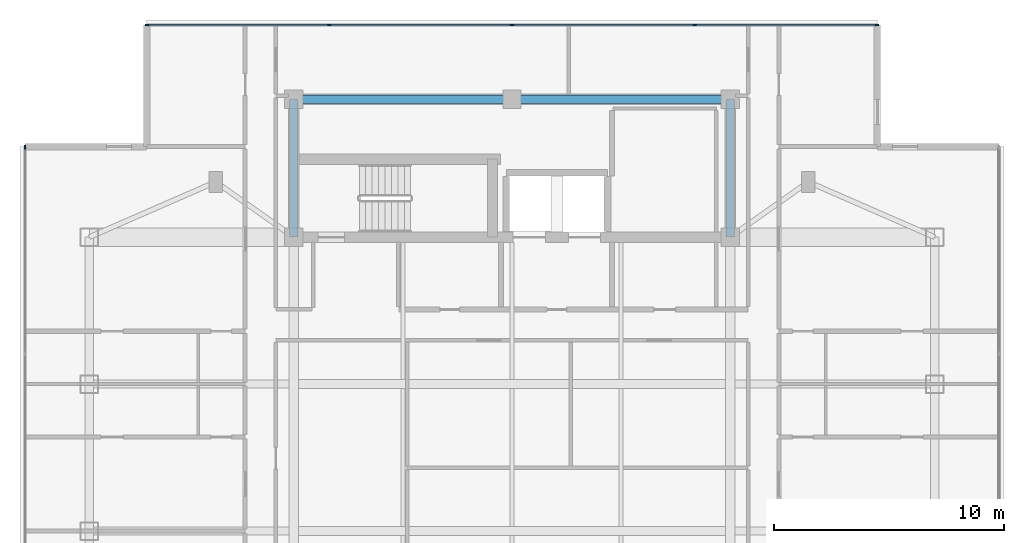
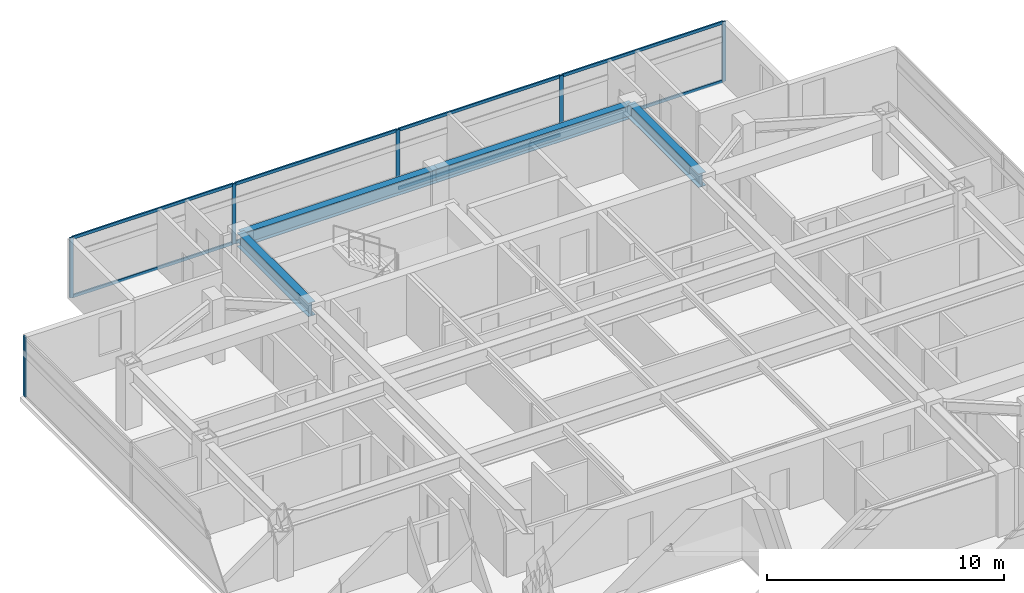
# One storey, part 5 of 14: 14 members, 4 beams, 2 elements without a shape of their own.
"""IFC4 building model written with IfcOpenShell, lengths in metres."""

from ifc_helpers import new_model, si_unit, direction, frame, origin, origin_2d, place, context, subcontext, project, spatial, rectangle, i_section, extrude, material, material_profile, profile_set, type_object, element, aggregate, save


model = new_model("IFC4")

# Units and contexts
model_context = context("Model", 3, precision=1e-05, world=origin(), true_north=direction((0.0, 1.0)))
body_context = subcontext(model_context, "Body", "Model", "MODEL_VIEW")
ifc_project = project(units=[si_unit("LENGTHUNIT", "METRE"), si_unit("AREAUNIT", "SQUARE_METRE"), si_unit("VOLUMEUNIT", "CUBIC_METRE"), si_unit("PLANEANGLEUNIT", "RADIAN"), si_unit("MASSUNIT", "GRAM", prefix="KILO")], contexts=[model_context])

# Site, building, storey
site_placement = place(None, origin())
site = spatial("IfcSite", under=ifc_project, at=site_placement, CompositionType="ELEMENT")
building_placement = place(site_placement, origin())
building = spatial("IfcBuilding", under=site, at=building_placement, Name="Mirazonda Arch Towers", CompositionType="ELEMENT")
storey_placement = place(building_placement, frame((0.0, 0.0, 232.60009765625)))
storey = spatial("IfcBuildingStorey", under=building, at=storey_placement, Name="L66", CompositionType="ELEMENT", Elevation=232.60009765625)

# Beams
ifc_material_1 = material(Name="Steel ASTM A992 Grade 50", Category="steel")
ifc_material_profile_1 = material_profile(ifc_material_1, i_section(OverallWidth=0.35498046875, OverallDepth=0.696044921875, WebThickness=0.015380859375, FlangeThickness=0.02490234375, at=origin_2d()), Name="W27X146")
ifc_profile_set_1 = profile_set([ifc_material_profile_1], Name="Steel ASTM A992 Grade 50")
beam_type = type_object("IfcBeamType", Name="BM-INT-W27X146", PredefinedType="BEAM", material=ifc_profile_set_1)
for number, where, z_axis, x_axis, name in (
    (1, (11.0, 43.60009765625, 2.751953125), (1.0, 0.0, 0.0), (0.0, 1.0, 0.0), "L66 Floor Beam BM-T1-L66-CN1"),
    (2, (20.5, 43.60009765625, 2.751953125), (1.0, 0.0, 0.0), (0.0, 1.0, 0.0), "L66 Floor Beam BM-T1-L66-CN2"),
):
    element("IfcBeam", number, at=place(storey_placement, frame(where, z_axis=z_axis, x_axis=x_axis)), inside=storey, type_object=beam_type, Name=name, PredefinedType="BEAM", context=body_context, shape_type="SweptSolid", body=[
        extrude(i_section(OverallWidth=0.35498046875, OverallDepth=0.696044921875, WebThickness=0.015380859375, FlangeThickness=0.02490234375, at=origin_2d()), origin(), (0.0, 0.0, 1.0), 9.5),
    ])
for number, where, z_axis, x_axis, name in (
    (3, (11.0, 37.60009765625, 2.751953125), (0.0, 1.0, 0.0), (-1.0, 0.0, 0.0), "L66 Floor Beam BM-T1-L66-CNW"),
    (4, (30.0, 37.60009765625, 2.751953125), (0.0, 1.0, 0.0), (-1.0, 0.0, 0.0), "L66 Floor Beam BM-T1-L66-CNE"),
):
    element("IfcBeam", number, at=place(storey_placement, frame(where, z_axis=z_axis, x_axis=x_axis)), inside=storey, type_object=beam_type, Name=name, PredefinedType="BEAM", context=body_context, shape_type="SweptSolid", body=[
        extrude(i_section(OverallWidth=0.35498046875, OverallDepth=0.696044921875, WebThickness=0.015380859375, FlangeThickness=0.02490234375, at=origin_2d()), origin(), (0.0, 0.0, 1.0), 6.0),
    ])

# Curtain wall, members
ifc_material_2 = material(Name="Anodised Aluminium and Low-E Glass", Category="aluminium")
curtain_wall_type = type_object("IfcCurtainWallType", Name="CW-RES-UNIT", PredefinedType="NOTDEFINED", material=ifc_material_2)
curtain_wall_1_placement = place(storey_placement, origin())
curtain_wall_1 = element("IfcCurtainWall", 5, at=curtain_wall_1_placement, inside=storey, type_object=curtain_wall_type, Name="L66 T1 N Facade CW-L66-T1-N", PredefinedType="NOTDEFINED")
ifc_material_3 = material(Name="Anodised Aluminium Alloy", Category="aluminium")
ifc_material_profile_2 = material_profile(ifc_material_3, rectangle(XDim=0.074951171875, YDim=0.175048828125, at=origin_2d()), Name="ALU-MULL-75x175")
ifc_profile_set_2 = profile_set([ifc_material_profile_2], Name="Anodised Aluminium Alloy")
member_type_1 = type_object("IfcMemberType", Name="MULL-CW-RES-UNIT", PredefinedType="MULLION", material=ifc_profile_set_2)
member_1_placement = place(storey_placement, frame((4.62744140625, 46.83203125, 0.0), z_axis=(0.0, 0.0, 1.0), x_axis=(0.0, 1.0, 0.0)))
member_1 = element("IfcMember", 6, at=member_1_placement, type_object=member_type_1, Name="CW-104 mullion 1", PredefinedType="MULLION", context=body_context, shape_type="SweptSolid", body=[
    extrude(rectangle(XDim=0.074951171875, YDim=0.175048828125, at=origin_2d()), origin(), (0.0, 0.0, 1.0), 3.079833984375),
])
member_2_placement = place(storey_placement, frame((12.544921875, 46.83203125, 0.0), z_axis=(0.0, 0.0, 1.0), x_axis=(0.0, 1.0, 0.0)))
member_2 = element("IfcMember", 7, at=member_2_placement, type_object=member_type_1, Name="CW-104 mullion 2", PredefinedType="MULLION", context=body_context, shape_type="SweptSolid", body=[
    extrude(rectangle(XDim=0.074951171875, YDim=0.175048828125, at=origin_2d()), origin(), (0.0, 0.0, 1.0), 3.079833984375),
])
member_3_placement = place(storey_placement, frame((20.5, 46.83203125, 0.0), z_axis=(0.0, 0.0, 1.0), x_axis=(0.0, 1.0, 0.0)))
member_3 = element("IfcMember", 8, at=member_3_placement, type_object=member_type_1, Name="CW-104 mullion 3", PredefinedType="MULLION", context=body_context, shape_type="SweptSolid", body=[
    extrude(rectangle(XDim=0.074951171875, YDim=0.175048828125, at=origin_2d()), origin(), (0.0, 0.0, 1.0), 3.079833984375),
])
member_4_placement = place(storey_placement, frame((28.455078125, 46.83203125, 0.0), z_axis=(0.0, 0.0, 1.0), x_axis=(0.0, 1.0, 0.0)))
member_4 = element("IfcMember", 9, at=member_4_placement, type_object=member_type_1, Name="CW-104 mullion 4", PredefinedType="MULLION", context=body_context, shape_type="SweptSolid", body=[
    extrude(rectangle(XDim=0.074951171875, YDim=0.175048828125, at=origin_2d()), origin(), (0.0, 0.0, 1.0), 3.079833984375),
])
member_5_placement = place(storey_placement, frame((36.37255859375, 46.83203125, 0.0), z_axis=(0.0, 0.0, 1.0), x_axis=(0.0, 1.0, 0.0)))
member_5 = element("IfcMember", 10, at=member_5_placement, type_object=member_type_1, Name="CW-104 mullion 5", PredefinedType="MULLION", context=body_context, shape_type="SweptSolid", body=[
    extrude(rectangle(XDim=0.074951171875, YDim=0.175048828125, at=origin_2d()), origin(), (0.0, 0.0, 1.0), 3.079833984375),
])

# Curtain wall, member
curtain_wall_2_placement = place(storey_placement, origin())
curtain_wall_2 = element("IfcCurtainWall", 11, at=curtain_wall_2_placement, inside=storey, type_object=curtain_wall_type, Name="L66 T1 W Facade CW-L66-T1-W", PredefinedType="NOTDEFINED")
member_6_placement = place(storey_placement, frame((-0.699951171875, 41.50439453125, 0.0), z_axis=(0.0, 0.0, 1.0), x_axis=(1.0, 0.0, 0.0)))
member_6 = element("IfcMember", 12, at=member_6_placement, type_object=member_type_1, Name="CW-104 mullion 1", PredefinedType="MULLION", context=body_context, shape_type="SweptSolid", body=[
    extrude(rectangle(XDim=0.074951171875, YDim=0.175048828125, at=origin_2d()), origin(), (0.0, 0.0, 1.0), 3.079833984375),
])
aggregate(curtain_wall_2, [member_6])

# Member
ifc_material_profile_3 = material_profile(ifc_material_3, rectangle(XDim=0.074951171875, YDim=0.155029296875, at=origin_2d()), Name="ALU-TRAN-75x155")
ifc_profile_set_3 = profile_set([ifc_material_profile_3], Name="Anodised Aluminium Alloy")
member_type_2 = type_object("IfcMemberType", Name="TRAN-CW-RES-UNIT", PredefinedType="USERDEFINED", material=ifc_profile_set_3)
member_7_placement = place(storey_placement, frame((4.6650390625, 46.83203125, 0.037353515625), z_axis=(1.0, 0.0, 0.0), x_axis=(0.0, 1.0, 0.0)))
member_7 = element("IfcMember", 13, at=member_7_placement, type_object=member_type_2, Name="CW-104 transom 1.1", ObjectType="TRANSOM", PredefinedType="USERDEFINED", context=body_context, shape_type="SweptSolid", body=[
    extrude(rectangle(XDim=0.074951171875, YDim=0.155029296875, at=origin_2d()), origin(), (0.0, 0.0, 1.0), 7.842529296875),
])

member_8_placement = place(storey_placement, frame((4.6650390625, 46.83203125, 3.04248046875), z_axis=(1.0, 0.0, 0.0), x_axis=(0.0, 1.0, 0.0)))
member_8 = element("IfcMember", 14, at=member_8_placement, type_object=member_type_2, Name="CW-104 transom 1.2", ObjectType="TRANSOM", PredefinedType="USERDEFINED", context=body_context, shape_type="SweptSolid", body=[
    extrude(rectangle(XDim=0.074951171875, YDim=0.155029296875, at=origin_2d()), origin(), (0.0, 0.0, 1.0), 7.842529296875),
])

member_9_placement = place(storey_placement, frame((12.58251953125, 46.83203125, 0.037353515625), z_axis=(1.0, 0.0, 0.0), x_axis=(0.0, 1.0, 0.0)))
member_9 = element("IfcMember", 15, at=member_9_placement, type_object=member_type_2, Name="CW-104 transom 2.1", ObjectType="TRANSOM", PredefinedType="USERDEFINED", context=body_context, shape_type="SweptSolid", body=[
    extrude(rectangle(XDim=0.074951171875, YDim=0.155029296875, at=origin_2d()), origin(), (0.0, 0.0, 1.0), 7.8798828125),
])

member_10_placement = place(storey_placement, frame((12.58251953125, 46.83203125, 3.04248046875), z_axis=(1.0, 0.0, 0.0), x_axis=(0.0, 1.0, 0.0)))
member_10 = element("IfcMember", 16, at=member_10_placement, type_object=member_type_2, Name="CW-104 transom 2.2", ObjectType="TRANSOM", PredefinedType="USERDEFINED", context=body_context, shape_type="SweptSolid", body=[
    extrude(rectangle(XDim=0.074951171875, YDim=0.155029296875, at=origin_2d()), origin(), (0.0, 0.0, 1.0), 7.8798828125),
])

member_11_placement = place(storey_placement, frame((20.53759765625, 46.83203125, 0.037353515625), z_axis=(1.0, 0.0, 0.0), x_axis=(0.0, 1.0, 0.0)))
member_11 = element("IfcMember", 17, at=member_11_placement, type_object=member_type_2, Name="CW-104 transom 3.1", ObjectType="TRANSOM", PredefinedType="USERDEFINED", context=body_context, shape_type="SweptSolid", body=[
    extrude(rectangle(XDim=0.074951171875, YDim=0.155029296875, at=origin_2d()), origin(), (0.0, 0.0, 1.0), 7.8798828125),
])

member_12_placement = place(storey_placement, frame((20.53759765625, 46.83203125, 3.04248046875), z_axis=(1.0, 0.0, 0.0), x_axis=(0.0, 1.0, 0.0)))
member_12 = element("IfcMember", 18, at=member_12_placement, type_object=member_type_2, Name="CW-104 transom 3.2", ObjectType="TRANSOM", PredefinedType="USERDEFINED", context=body_context, shape_type="SweptSolid", body=[
    extrude(rectangle(XDim=0.074951171875, YDim=0.155029296875, at=origin_2d()), origin(), (0.0, 0.0, 1.0), 7.8798828125),
])

member_13_placement = place(storey_placement, frame((28.492431640625, 46.83203125, 0.037353515625), z_axis=(1.0, 0.0, 0.0), x_axis=(0.0, 1.0, 0.0)))
member_13 = element("IfcMember", 19, at=member_13_placement, type_object=member_type_2, Name="CW-104 transom 4.1", ObjectType="TRANSOM", PredefinedType="USERDEFINED", context=body_context, shape_type="SweptSolid", body=[
    extrude(rectangle(XDim=0.074951171875, YDim=0.155029296875, at=origin_2d()), origin(), (0.0, 0.0, 1.0), 7.842529296875),
])

member_14_placement = place(storey_placement, frame((28.492431640625, 46.83203125, 3.04248046875), z_axis=(1.0, 0.0, 0.0), x_axis=(0.0, 1.0, 0.0)))
member_14 = element("IfcMember", 20, at=member_14_placement, type_object=member_type_2, Name="CW-104 transom 4.2", ObjectType="TRANSOM", PredefinedType="USERDEFINED", context=body_context, shape_type="SweptSolid", body=[
    extrude(rectangle(XDim=0.074951171875, YDim=0.155029296875, at=origin_2d()), origin(), (0.0, 0.0, 1.0), 7.842529296875),
])

aggregate(curtain_wall_1, [member_1, member_2, member_3, member_4, member_5, member_7, member_8, member_9, member_10, member_11, member_12, member_13, member_14])

save(model, "model.ifc")
